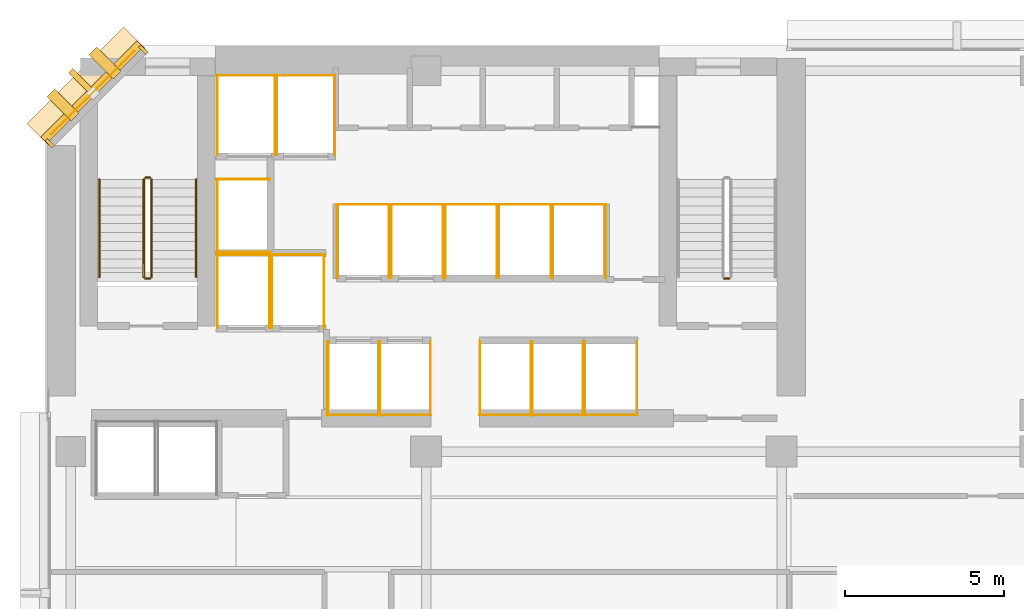
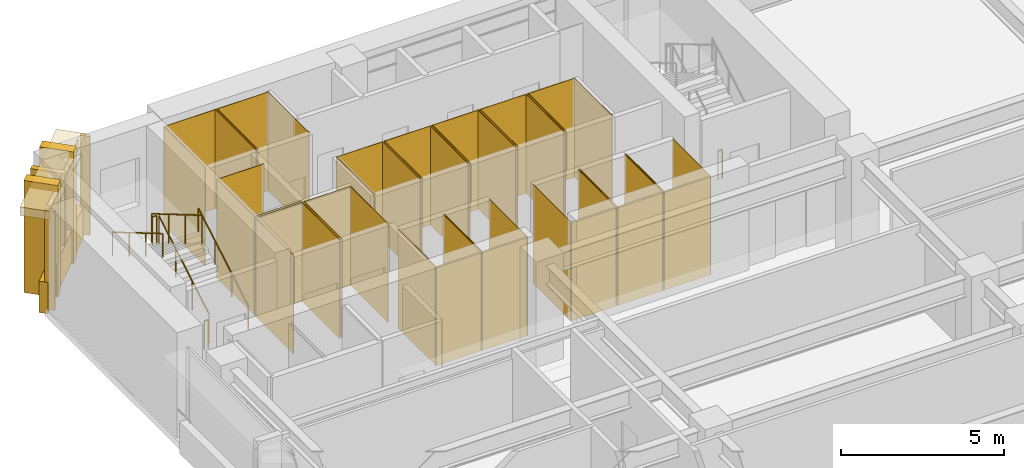
# One storey, part 12 of 14: 52 coverings, 7 railings, 1 shading device.
"""IFC4 building model written with IfcOpenShell, lengths in metres."""

from ifc_helpers import new_model, si_unit, direction, frame, origin, origin_2d, place, context, subcontext, project, spatial, polyline, rectangle, circle, outline, extrude, material, layer, layer_set, material_profile, profile_set, type_object, element, save


model = new_model("IFC4")

# Units and contexts
model_context = context("Model", 3, precision=1e-05, world=origin(), true_north=direction((0.0, 1.0)))
body_context = subcontext(model_context, "Body", "Model", "MODEL_VIEW")
ifc_project = project(units=[si_unit("LENGTHUNIT", "METRE"), si_unit("AREAUNIT", "SQUARE_METRE"), si_unit("VOLUMEUNIT", "CUBIC_METRE"), si_unit("PLANEANGLEUNIT", "RADIAN"), si_unit("MASSUNIT", "GRAM", prefix="KILO")], contexts=[model_context])

# Site, building, storey
site_placement = place(None, origin())
site = spatial("IfcSite", under=ifc_project, at=site_placement, CompositionType="ELEMENT")
building_placement = place(site_placement, origin())
building = spatial("IfcBuilding", under=site, at=building_placement, Name="Kefirva Bronze Tower", CompositionType="ELEMENT")
storey_placement = place(building_placement, frame((0.0, 0.0, 50.159912109375)))
storey = spatial("IfcBuildingStorey", under=building, at=storey_placement, Name="L11", CompositionType="ELEMENT", Elevation=50.159912109375)

# Coverings
ifc_material_1 = material(Name="Bronze anodised aluminium", Category="aluminium")
ifc_layer_1 = layer(ifc_material_1, 0.02001953125, Name="Bronze anodised aluminium")
ifc_layer_set_1 = layer_set([ifc_layer_1], Name="Bronze anodised aluminium")
covering_type_1 = type_object("IfcCoveringType", Name="Anodised Bronze Spandrel Cladding 20mm", PredefinedType="CLADDING", material=ifc_layer_set_1)
covering_1_placement = place(storey_placement, frame((1.492919921875, 44.507080078125, 3.2900390625), z_axis=(0.0, 0.0, 1.0), x_axis=(-0.707106781187, -0.707106781187, 0.0)))
element("IfcCovering", 1, at=covering_1_placement, inside=storey, type_object=covering_type_1, Name="L11 Bronze Spandrel Cladding 9", PredefinedType="CLADDING", context=body_context, shape_type="SweptSolid", body=[
    extrude(rectangle(XDim=3.719482421875, YDim=0.02001953125, at=origin_2d()), origin(), (0.0, 0.0, 1.0), 0.39990234375),
])
for number, where, z_axis, x_axis, name in (
    (2, (3.08837890625, 45.862060546875, 0.0), (0.0, 0.0, 1.0), (-0.707106781187, -0.707106781187, 0.0), "L11 Facade Joint Closure Panel 9S"),
    (3, (0.137939453125, 42.91162109375, 0.0), (0.0, 0.0, 1.0), (-0.707106781187, -0.707106781187, 0.0), "L11 Facade Joint Closure Panel 9E"),
):
    element("IfcCovering", number, at=place(storey_placement, frame(where, z_axis=z_axis, x_axis=x_axis)), inside=storey, type_object=covering_type_1, Name=name, PredefinedType="CLADDING", context=body_context, shape_type="SweptSolid", body=[
        extrude(rectangle(XDim=0.10009765625, YDim=0.320068359375, at=origin_2d()), origin(), (0.0, 0.0, 1.0), 3.7099609375),
    ])
covering_2_placement = place(storey_placement, frame((1.4716796875, 44.5283203125, -0.15966796875), z_axis=(0.0, 0.0, 1.0), x_axis=(-0.707106781187, -0.707106781187, 0.0)))
element("IfcCovering", 4, at=covering_2_placement, inside=storey, type_object=covering_type_1, Name="L11 Streamline Horizontal Spandrel Band 13", PredefinedType="CLADDING", context=body_context, shape_type="SweptSolid", body=[
    extrude(rectangle(XDim=4.28271484375, YDim=0.280029296875, at=origin_2d()), origin(), (0.0, 0.0, 1.0), 1.179931640625),
])
covering_3_placement = place(storey_placement, origin())
element("IfcCovering", 5, at=covering_3_placement, inside=storey, type_object=covering_type_1, Name="L11 Lift FF1 Hoistway Liner N", PredefinedType="CLADDING", context=body_context, shape_type="SweptSolid", body=[
    extrude(outline(polyline([(5.39990234375, 39.389892578125), (7.080078125, 39.389892578125), (7.080078125, 39.409912109375), (5.39990234375, 39.409912109375), (5.39990234375, 39.389892578125)])), origin(), (0.0, 0.0, 1.0), 3.710205078125),
])
covering_4_placement = place(storey_placement, origin())
element("IfcCovering", 6, at=covering_4_placement, inside=storey, type_object=covering_type_1, Name="L11 Lift FF1 Hoistway Liner W", PredefinedType="CLADDING", context=body_context, shape_type="SweptSolid", body=[
    extrude(outline(polyline([(5.409912109375, 37.080078125), (5.429931640625, 37.080078125), (5.429931640625, 39.419921875), (5.409912109375, 39.419921875), (5.409912109375, 37.080078125)])), origin(), (0.0, 0.0, 1.0), 3.710205078125),
])
covering_5_placement = place(storey_placement, origin())
element("IfcCovering", 7, at=covering_5_placement, inside=storey, type_object=covering_type_1, Name="L11 Lift FF1 Hoistway Liner E", PredefinedType="CLADDING", context=body_context, shape_type="SweptSolid", body=[
    extrude(outline(polyline([(7.050048828125, 37.080078125), (7.070068359375, 37.080078125), (7.070068359375, 39.419921875), (7.050048828125, 39.419921875), (7.050048828125, 37.080078125)])), origin(), (0.0, 0.0, 1.0), 3.710205078125),
])
covering_6_placement = place(storey_placement, origin())
element("IfcCovering", 8, at=covering_6_placement, inside=storey, type_object=covering_type_1, Name="L11 Lift FF2 Hoistway Liner N", PredefinedType="CLADDING", context=body_context, shape_type="SweptSolid", body=[
    extrude(outline(polyline([(7.1201171875, 39.389892578125), (8.800048828125, 39.389892578125), (8.800048828125, 39.409912109375), (7.1201171875, 39.409912109375), (7.1201171875, 39.389892578125)])), origin(), (0.0, 0.0, 1.0), 3.710205078125),
])
covering_7_placement = place(storey_placement, origin())
element("IfcCovering", 9, at=covering_7_placement, inside=storey, type_object=covering_type_1, Name="L11 Lift FF2 Hoistway Liner W", PredefinedType="CLADDING", context=body_context, shape_type="SweptSolid", body=[
    extrude(outline(polyline([(7.1298828125, 37.080078125), (7.14990234375, 37.080078125), (7.14990234375, 39.419921875), (7.1298828125, 39.419921875), (7.1298828125, 37.080078125)])), origin(), (0.0, 0.0, 1.0), 3.710205078125),
])
covering_8_placement = place(storey_placement, origin())
element("IfcCovering", 10, at=covering_8_placement, inside=storey, type_object=covering_type_1, Name="L11 Lift FF2 Hoistway Liner E", PredefinedType="CLADDING", context=body_context, shape_type="SweptSolid", body=[
    extrude(outline(polyline([(8.77001953125, 37.080078125), (8.7900390625, 37.080078125), (8.7900390625, 39.419921875), (8.77001953125, 39.419921875), (8.77001953125, 37.080078125)])), origin(), (0.0, 0.0, 1.0), 3.710205078125),
])
covering_9_placement = place(storey_placement, origin())
element("IfcCovering", 11, at=covering_9_placement, inside=storey, type_object=covering_type_1, Name="L11 Lift SV1 Hoistway Liner N", PredefinedType="CLADDING", context=body_context, shape_type="SweptSolid", body=[
    extrude(outline(polyline([(5.39990234375, 45.0400390625), (7.260009765625, 45.0400390625), (7.260009765625, 45.06005859375), (5.39990234375, 45.06005859375), (5.39990234375, 45.0400390625)])), origin(), (0.0, 0.0, 1.0), 3.710205078125),
])
covering_10_placement = place(storey_placement, origin())
element("IfcCovering", 12, at=covering_10_placement, inside=storey, type_object=covering_type_1, Name="L11 Lift SV1 Hoistway Liner W", PredefinedType="CLADDING", context=body_context, shape_type="SweptSolid", body=[
    extrude(outline(polyline([(5.409912109375, 42.530029296875), (5.429931640625, 42.530029296875), (5.429931640625, 45.070068359375), (5.409912109375, 45.070068359375), (5.409912109375, 42.530029296875)])), origin(), (0.0, 0.0, 1.0), 3.710205078125),
])
covering_11_placement = place(storey_placement, origin())
element("IfcCovering", 13, at=covering_11_placement, inside=storey, type_object=covering_type_1, Name="L11 Lift SV1 Hoistway Liner E", PredefinedType="CLADDING", context=body_context, shape_type="SweptSolid", body=[
    extrude(outline(polyline([(7.22998046875, 42.530029296875), (7.25, 42.530029296875), (7.25, 45.070068359375), (7.22998046875, 45.070068359375), (7.22998046875, 42.530029296875)])), origin(), (0.0, 0.0, 1.0), 3.710205078125),
])
covering_12_placement = place(storey_placement, origin())
element("IfcCovering", 14, at=covering_12_placement, inside=storey, type_object=covering_type_1, Name="L11 Lift SV2 Hoistway Liner N", PredefinedType="CLADDING", context=body_context, shape_type="SweptSolid", body=[
    extrude(outline(polyline([(7.280029296875, 45.0400390625), (9.139892578125, 45.0400390625), (9.139892578125, 45.06005859375), (7.280029296875, 45.06005859375), (7.280029296875, 45.0400390625)])), origin(), (0.0, 0.0, 1.0), 3.710205078125),
])
covering_13_placement = place(storey_placement, origin())
element("IfcCovering", 15, at=covering_13_placement, inside=storey, type_object=covering_type_1, Name="L11 Lift SV2 Hoistway Liner W", PredefinedType="CLADDING", context=body_context, shape_type="SweptSolid", body=[
    extrude(outline(polyline([(7.2900390625, 42.530029296875), (7.31005859375, 42.530029296875), (7.31005859375, 45.070068359375), (7.2900390625, 45.070068359375), (7.2900390625, 42.530029296875)])), origin(), (0.0, 0.0, 1.0), 3.710205078125),
])
covering_14_placement = place(storey_placement, origin())
element("IfcCovering", 16, at=covering_14_placement, inside=storey, type_object=covering_type_1, Name="L11 Lift SV2 Hoistway Liner E", PredefinedType="CLADDING", context=body_context, shape_type="SweptSolid", body=[
    extrude(outline(polyline([(9.110107421875, 42.530029296875), (9.1298828125, 42.530029296875), (9.1298828125, 45.070068359375), (9.110107421875, 45.070068359375), (9.110107421875, 42.530029296875)])), origin(), (0.0, 0.0, 1.0), 3.710205078125),
])
covering_15_placement = place(storey_placement, origin())
element("IfcCovering", 17, at=covering_15_placement, inside=storey, type_object=covering_type_1, Name="L11 Lift LP1 Hoistway Liner S", PredefinedType="CLADDING", context=body_context, shape_type="SweptSolid", body=[
    extrude(outline(polyline([(8.8798828125, 34.340087890625), (10.52001953125, 34.340087890625), (10.52001953125, 34.360107421875), (8.8798828125, 34.360107421875), (8.8798828125, 34.340087890625)])), origin(), (0.0, 0.0, 1.0), 3.710205078125),
])
covering_16_placement = place(storey_placement, origin())
element("IfcCovering", 18, at=covering_16_placement, inside=storey, type_object=covering_type_1, Name="L11 Lift LP1 Hoistway Liner W", PredefinedType="CLADDING", context=body_context, shape_type="SweptSolid", body=[
    extrude(outline(polyline([(8.889892578125, 34.330078125), (8.909912109375, 34.330078125), (8.909912109375, 36.669921875), (8.889892578125, 36.669921875), (8.889892578125, 34.330078125)])), origin(), (0.0, 0.0, 1.0), 3.710205078125),
])
covering_17_placement = place(storey_placement, origin())
element("IfcCovering", 19, at=covering_17_placement, inside=storey, type_object=covering_type_1, Name="L11 Lift LP1 Hoistway Liner E", PredefinedType="CLADDING", context=body_context, shape_type="SweptSolid", body=[
    extrude(outline(polyline([(10.489990234375, 34.330078125), (10.510009765625, 34.330078125), (10.510009765625, 36.669921875), (10.489990234375, 36.669921875), (10.489990234375, 34.330078125)])), origin(), (0.0, 0.0, 1.0), 3.710205078125),
])
covering_18_placement = place(storey_placement, origin())
element("IfcCovering", 20, at=covering_18_placement, inside=storey, type_object=covering_type_1, Name="L11 Lift LP2 Hoistway Liner S", PredefinedType="CLADDING", context=body_context, shape_type="SweptSolid", body=[
    extrude(outline(polyline([(10.52001953125, 34.340087890625), (12.159912109375, 34.340087890625), (12.159912109375, 34.360107421875), (10.52001953125, 34.360107421875), (10.52001953125, 34.340087890625)])), origin(), (0.0, 0.0, 1.0), 3.710205078125),
])
covering_19_placement = place(storey_placement, origin())
element("IfcCovering", 21, at=covering_19_placement, inside=storey, type_object=covering_type_1, Name="L11 Lift LP2 Hoistway Liner W", PredefinedType="CLADDING", context=body_context, shape_type="SweptSolid", body=[
    extrude(outline(polyline([(10.530029296875, 34.330078125), (10.550048828125, 34.330078125), (10.550048828125, 36.669921875), (10.530029296875, 36.669921875), (10.530029296875, 34.330078125)])), origin(), (0.0, 0.0, 1.0), 3.710205078125),
])
covering_20_placement = place(storey_placement, origin())
element("IfcCovering", 22, at=covering_20_placement, inside=storey, type_object=covering_type_1, Name="L11 Lift LP2 Hoistway Liner E", PredefinedType="CLADDING", context=body_context, shape_type="SweptSolid", body=[
    extrude(outline(polyline([(12.1298828125, 34.330078125), (12.14990234375, 34.330078125), (12.14990234375, 36.669921875), (12.1298828125, 36.669921875), (12.1298828125, 34.330078125)])), origin(), (0.0, 0.0, 1.0), 3.710205078125),
])
covering_21_placement = place(storey_placement, origin())
element("IfcCovering", 23, at=covering_21_placement, inside=storey, type_object=covering_type_1, Name="L11 Lift LP3 Hoistway Liner N", PredefinedType="CLADDING", context=body_context, shape_type="SweptSolid", body=[
    extrude(outline(polyline([(9.179931640625, 40.969970703125), (10.85009765625, 40.969970703125), (10.85009765625, 40.989990234375), (9.179931640625, 40.989990234375), (9.179931640625, 40.969970703125)])), origin(), (0.0, 0.0, 1.0), 3.710205078125),
])
covering_22_placement = place(storey_placement, origin())
element("IfcCovering", 24, at=covering_22_placement, inside=storey, type_object=covering_type_1, Name="L11 Lift LP3 Hoistway Liner W", PredefinedType="CLADDING", context=body_context, shape_type="SweptSolid", body=[
    extrude(outline(polyline([(9.18994140625, 38.659912109375), (9.2099609375, 38.659912109375), (9.2099609375, 41.0), (9.18994140625, 41.0), (9.18994140625, 38.659912109375)])), origin(), (0.0, 0.0, 1.0), 3.710205078125),
])
covering_23_placement = place(storey_placement, origin())
element("IfcCovering", 25, at=covering_23_placement, inside=storey, type_object=covering_type_1, Name="L11 Lift LP3 Hoistway Liner E", PredefinedType="CLADDING", context=body_context, shape_type="SweptSolid", body=[
    extrude(outline(polyline([(10.820068359375, 38.659912109375), (10.840087890625, 38.659912109375), (10.840087890625, 41.0), (10.820068359375, 41.0), (10.820068359375, 38.659912109375)])), origin(), (0.0, 0.0, 1.0), 3.710205078125),
])
covering_24_placement = place(storey_placement, origin())
element("IfcCovering", 26, at=covering_24_placement, inside=storey, type_object=covering_type_1, Name="L11 Lift LP4 Hoistway Liner N", PredefinedType="CLADDING", context=body_context, shape_type="SweptSolid", body=[
    extrude(outline(polyline([(10.8798828125, 40.969970703125), (12.550048828125, 40.969970703125), (12.550048828125, 40.989990234375), (10.8798828125, 40.989990234375), (10.8798828125, 40.969970703125)])), origin(), (0.0, 0.0, 1.0), 3.710205078125),
])
covering_25_placement = place(storey_placement, origin())
element("IfcCovering", 27, at=covering_25_placement, inside=storey, type_object=covering_type_1, Name="L11 Lift LP4 Hoistway Liner W", PredefinedType="CLADDING", context=body_context, shape_type="SweptSolid", body=[
    extrude(outline(polyline([(10.889892578125, 38.659912109375), (10.909912109375, 38.659912109375), (10.909912109375, 41.0), (10.889892578125, 41.0), (10.889892578125, 38.659912109375)])), origin(), (0.0, 0.0, 1.0), 3.710205078125),
])
covering_26_placement = place(storey_placement, origin())
element("IfcCovering", 28, at=covering_26_placement, inside=storey, type_object=covering_type_1, Name="L11 Lift LP4 Hoistway Liner E", PredefinedType="CLADDING", context=body_context, shape_type="SweptSolid", body=[
    extrude(outline(polyline([(12.52001953125, 38.659912109375), (12.5400390625, 38.659912109375), (12.5400390625, 41.0), (12.52001953125, 41.0), (12.52001953125, 38.659912109375)])), origin(), (0.0, 0.0, 1.0), 3.710205078125),
])
covering_27_placement = place(storey_placement, origin())
element("IfcCovering", 29, at=covering_27_placement, inside=storey, type_object=covering_type_1, Name="L11 Lift MP1 Hoistway Liner S", PredefinedType="CLADDING", context=body_context, shape_type="SweptSolid", body=[
    extrude(outline(polyline([(13.679931640625, 34.340087890625), (15.320068359375, 34.340087890625), (15.320068359375, 34.360107421875), (13.679931640625, 34.360107421875), (13.679931640625, 34.340087890625)])), origin(), (0.0, 0.0, 1.0), 3.710205078125),
])
covering_28_placement = place(storey_placement, origin())
element("IfcCovering", 30, at=covering_28_placement, inside=storey, type_object=covering_type_1, Name="L11 Lift MP1 Hoistway Liner W", PredefinedType="CLADDING", context=body_context, shape_type="SweptSolid", body=[
    extrude(outline(polyline([(13.68994140625, 34.330078125), (13.7099609375, 34.330078125), (13.7099609375, 36.669921875), (13.68994140625, 36.669921875), (13.68994140625, 34.330078125)])), origin(), (0.0, 0.0, 1.0), 3.710205078125),
])
covering_29_placement = place(storey_placement, origin())
element("IfcCovering", 31, at=covering_29_placement, inside=storey, type_object=covering_type_1, Name="L11 Lift MP1 Hoistway Liner E", PredefinedType="CLADDING", context=body_context, shape_type="SweptSolid", body=[
    extrude(outline(polyline([(15.2900390625, 34.330078125), (15.31005859375, 34.330078125), (15.31005859375, 36.669921875), (15.2900390625, 36.669921875), (15.2900390625, 34.330078125)])), origin(), (0.0, 0.0, 1.0), 3.710205078125),
])
covering_30_placement = place(storey_placement, origin())
element("IfcCovering", 32, at=covering_30_placement, inside=storey, type_object=covering_type_1, Name="L11 Lift MP2 Hoistway Liner S", PredefinedType="CLADDING", context=body_context, shape_type="SweptSolid", body=[
    extrude(outline(polyline([(15.330078125, 34.340087890625), (16.969970703125, 34.340087890625), (16.969970703125, 34.360107421875), (15.330078125, 34.360107421875), (15.330078125, 34.340087890625)])), origin(), (0.0, 0.0, 1.0), 3.710205078125),
])
covering_31_placement = place(storey_placement, origin())
element("IfcCovering", 33, at=covering_31_placement, inside=storey, type_object=covering_type_1, Name="L11 Lift MP2 Hoistway Liner W", PredefinedType="CLADDING", context=body_context, shape_type="SweptSolid", body=[
    extrude(outline(polyline([(15.340087890625, 34.330078125), (15.360107421875, 34.330078125), (15.360107421875, 36.669921875), (15.340087890625, 36.669921875), (15.340087890625, 34.330078125)])), origin(), (0.0, 0.0, 1.0), 3.710205078125),
])
covering_32_placement = place(storey_placement, origin())
element("IfcCovering", 34, at=covering_32_placement, inside=storey, type_object=covering_type_1, Name="L11 Lift MP2 Hoistway Liner E", PredefinedType="CLADDING", context=body_context, shape_type="SweptSolid", body=[
    extrude(outline(polyline([(16.93994140625, 34.330078125), (16.9599609375, 34.330078125), (16.9599609375, 36.669921875), (16.93994140625, 36.669921875), (16.93994140625, 34.330078125)])), origin(), (0.0, 0.0, 1.0), 3.710205078125),
])
covering_33_placement = place(storey_placement, origin())
element("IfcCovering", 35, at=covering_33_placement, inside=storey, type_object=covering_type_1, Name="L11 Lift MP3 Hoistway Liner N", PredefinedType="CLADDING", context=body_context, shape_type="SweptSolid", body=[
    extrude(outline(polyline([(12.580078125, 40.969970703125), (14.25, 40.969970703125), (14.25, 40.989990234375), (12.580078125, 40.989990234375), (12.580078125, 40.969970703125)])), origin(), (0.0, 0.0, 1.0), 3.710205078125),
])
covering_34_placement = place(storey_placement, origin())
element("IfcCovering", 36, at=covering_34_placement, inside=storey, type_object=covering_type_1, Name="L11 Lift MP3 Hoistway Liner W", PredefinedType="CLADDING", context=body_context, shape_type="SweptSolid", body=[
    extrude(outline(polyline([(12.590087890625, 38.659912109375), (12.610107421875, 38.659912109375), (12.610107421875, 41.0), (12.590087890625, 41.0), (12.590087890625, 38.659912109375)])), origin(), (0.0, 0.0, 1.0), 3.710205078125),
])
covering_35_placement = place(storey_placement, origin())
element("IfcCovering", 37, at=covering_35_placement, inside=storey, type_object=covering_type_1, Name="L11 Lift MP3 Hoistway Liner E", PredefinedType="CLADDING", context=body_context, shape_type="SweptSolid", body=[
    extrude(outline(polyline([(14.219970703125, 38.659912109375), (14.239990234375, 38.659912109375), (14.239990234375, 41.0), (14.219970703125, 41.0), (14.219970703125, 38.659912109375)])), origin(), (0.0, 0.0, 1.0), 3.710205078125),
])
covering_36_placement = place(storey_placement, origin())
element("IfcCovering", 38, at=covering_36_placement, inside=storey, type_object=covering_type_1, Name="L11 Lift MP4 Hoistway Liner N", PredefinedType="CLADDING", context=body_context, shape_type="SweptSolid", body=[
    extrude(outline(polyline([(14.280029296875, 40.969970703125), (15.949951171875, 40.969970703125), (15.949951171875, 40.989990234375), (14.280029296875, 40.989990234375), (14.280029296875, 40.969970703125)])), origin(), (0.0, 0.0, 1.0), 3.710205078125),
])
covering_37_placement = place(storey_placement, origin())
element("IfcCovering", 39, at=covering_37_placement, inside=storey, type_object=covering_type_1, Name="L11 Lift MP4 Hoistway Liner W", PredefinedType="CLADDING", context=body_context, shape_type="SweptSolid", body=[
    extrude(outline(polyline([(14.2900390625, 38.659912109375), (14.31005859375, 38.659912109375), (14.31005859375, 41.0), (14.2900390625, 41.0), (14.2900390625, 38.659912109375)])), origin(), (0.0, 0.0, 1.0), 3.710205078125),
])
covering_38_placement = place(storey_placement, origin())
element("IfcCovering", 40, at=covering_38_placement, inside=storey, type_object=covering_type_1, Name="L11 Lift MP4 Hoistway Liner E", PredefinedType="CLADDING", context=body_context, shape_type="SweptSolid", body=[
    extrude(outline(polyline([(15.919921875, 38.659912109375), (15.93994140625, 38.659912109375), (15.93994140625, 41.0), (15.919921875, 41.0), (15.919921875, 38.659912109375)])), origin(), (0.0, 0.0, 1.0), 3.710205078125),
])
covering_39_placement = place(storey_placement, origin())
element("IfcCovering", 41, at=covering_39_placement, inside=storey, type_object=covering_type_1, Name="L11 Lift HP1 Hoistway Liner S", PredefinedType="CLADDING", context=body_context, shape_type="SweptSolid", body=[
    extrude(outline(polyline([(16.97998046875, 34.340087890625), (18.669921875, 34.340087890625), (18.669921875, 34.360107421875), (16.97998046875, 34.360107421875), (16.97998046875, 34.340087890625)])), origin(), (0.0, 0.0, 1.0), 3.710205078125),
])
covering_40_placement = place(storey_placement, origin())
element("IfcCovering", 42, at=covering_40_placement, inside=storey, type_object=covering_type_1, Name="L11 Lift HP1 Hoistway Liner W", PredefinedType="CLADDING", context=body_context, shape_type="SweptSolid", body=[
    extrude(outline(polyline([(16.989990234375, 34.330078125), (17.010009765625, 34.330078125), (17.010009765625, 36.669921875), (16.989990234375, 36.669921875), (16.989990234375, 34.330078125)])), origin(), (0.0, 0.0, 1.0), 3.710205078125),
])
covering_41_placement = place(storey_placement, origin())
element("IfcCovering", 43, at=covering_41_placement, inside=storey, type_object=covering_type_1, Name="L11 Lift HP1 Hoistway Liner E", PredefinedType="CLADDING", context=body_context, shape_type="SweptSolid", body=[
    extrude(outline(polyline([(18.639892578125, 34.330078125), (18.659912109375, 34.330078125), (18.659912109375, 36.669921875), (18.639892578125, 36.669921875), (18.639892578125, 34.330078125)])), origin(), (0.0, 0.0, 1.0), 3.710205078125),
])
covering_42_placement = place(storey_placement, origin())
element("IfcCovering", 44, at=covering_42_placement, inside=storey, type_object=covering_type_1, Name="L11 Lift HP2 Hoistway Liner N", PredefinedType="CLADDING", context=body_context, shape_type="SweptSolid", body=[
    extrude(outline(polyline([(15.97998046875, 40.969970703125), (17.669921875, 40.969970703125), (17.669921875, 40.989990234375), (15.97998046875, 40.989990234375), (15.97998046875, 40.969970703125)])), origin(), (0.0, 0.0, 1.0), 3.710205078125),
])
covering_43_placement = place(storey_placement, origin())
element("IfcCovering", 45, at=covering_43_placement, inside=storey, type_object=covering_type_1, Name="L11 Lift HP2 Hoistway Liner W", PredefinedType="CLADDING", context=body_context, shape_type="SweptSolid", body=[
    extrude(outline(polyline([(15.989990234375, 38.659912109375), (16.010009765625, 38.659912109375), (16.010009765625, 41.0), (15.989990234375, 41.0), (15.989990234375, 38.659912109375)])), origin(), (0.0, 0.0, 1.0), 3.710205078125),
])
covering_44_placement = place(storey_placement, origin())
element("IfcCovering", 46, at=covering_44_placement, inside=storey, type_object=covering_type_1, Name="L11 Lift HP2 Hoistway Liner E", PredefinedType="CLADDING", context=body_context, shape_type="SweptSolid", body=[
    extrude(outline(polyline([(17.639892578125, 38.659912109375), (17.659912109375, 38.659912109375), (17.659912109375, 41.0), (17.639892578125, 41.0), (17.639892578125, 38.659912109375)])), origin(), (0.0, 0.0, 1.0), 3.710205078125),
])
covering_45_placement = place(storey_placement, origin())
element("IfcCovering", 47, at=covering_45_placement, inside=storey, type_object=covering_type_1, Name="L11 Lift HP3 Hoistway Liner N", PredefinedType="CLADDING", context=body_context, shape_type="SweptSolid", body=[
    extrude(outline(polyline([(5.39990234375, 41.77001953125), (7.080078125, 41.77001953125), (7.080078125, 41.7900390625), (5.39990234375, 41.7900390625), (5.39990234375, 41.77001953125)])), origin(), (0.0, 0.0, 1.0), 3.710205078125),
])
covering_46_placement = place(storey_placement, origin())
element("IfcCovering", 48, at=covering_46_placement, inside=storey, type_object=covering_type_1, Name="L11 Lift HP3 Hoistway Liner S", PredefinedType="CLADDING", context=body_context, shape_type="SweptSolid", body=[
    extrude(outline(polyline([(5.39990234375, 39.469970703125), (7.080078125, 39.469970703125), (7.080078125, 39.489990234375), (5.39990234375, 39.489990234375), (5.39990234375, 39.469970703125)])), origin(), (0.0, 0.0, 1.0), 3.710205078125),
])
covering_47_placement = place(storey_placement, origin())
element("IfcCovering", 49, at=covering_47_placement, inside=storey, type_object=covering_type_1, Name="L11 Lift HP3 Hoistway Liner W", PredefinedType="CLADDING", context=body_context, shape_type="SweptSolid", body=[
    extrude(outline(polyline([(5.409912109375, 39.4599609375), (5.429931640625, 39.4599609375), (5.429931640625, 41.800048828125), (5.409912109375, 41.800048828125), (5.409912109375, 39.4599609375)])), origin(), (0.0, 0.0, 1.0), 3.710205078125),
])

# Shading device
ifc_material_profile = material_profile(ifc_material_1, rectangle(XDim=0.179931640625, YDim=1.080078125, at=origin_2d()), Name="BRONZE BUTTRESS FIN 180x1080")
ifc_profile_set = profile_set([ifc_material_profile], Name="Bronze anodised aluminium")
shading_device_type = type_object("IfcShadingDeviceType", Name="Chamfered Corner Buttress Bronze Fin 1080mm", PredefinedType="USERDEFINED", material=ifc_profile_set)
shading_device_placement = place(storey_placement, frame((1.1748046875, 44.8251953125, -0.139892578125), z_axis=(0.0, 0.0, 1.0), x_axis=(-0.707106781187, -0.707106781187, 0.0)))
element("IfcShadingDevice", 50, at=shading_device_placement, inside=storey, type_object=shading_device_type, Name="L11 Chamfered Corner Buttress Fin 24", ObjectType="VERTICAL FIN", PredefinedType="USERDEFINED", context=body_context, shape_type="SweptSolid", body=[
    extrude(rectangle(XDim=0.179931640625, YDim=1.080078125, at=origin_2d()), origin(), (0.0, 0.0, 1.0), 3.85009765625),
])

# Railings
ifc_material_2 = material(Name="Stainless steel 316", Category="steel")
railing_type_1 = type_object("IfcRailingType", Name="Interior Stair Guardrail 1100mm", PredefinedType="GUARDRAIL", material=ifc_material_2)
railing_1_placement = place(storey_placement, frame((3.35009765625, 38.699951171875, 0.1650390625)))
element("IfcRailing", 51, at=railing_1_placement, inside=storey, type_object=railing_type_1, Name="L11 ST-1 stair guard 1", PredefinedType="GUARDRAIL", context=body_context, shape_type="SweptSolid", body=[
    extrude(circle(Radius=0.02392578125, at=origin_2d()), frame((0.0, 0.0, 1.076171875), z_axis=(0.0, 0.861551262678, 0.507670583921), x_axis=(-1.0, 0.0, 0.0)), (0.0, 0.0, 1.0), 3.574951171875),
    extrude(circle(Radius=0.02099609375, at=origin_2d()), origin(), (0.0, 0.0, 1.0), 1.052001953125),
    extrude(circle(Radius=0.02099609375, at=origin_2d()), frame((0.0, 1.026611328125, 0.60498046875)), (0.0, 0.0, 1.0), 1.052001953125),
    extrude(circle(Radius=0.02099609375, at=origin_2d()), frame((0.0, 2.053466796875, 1.2099609375)), (0.0, 0.0, 1.0), 1.052001953125),
    extrude(circle(Radius=0.02099609375, at=origin_2d()), frame((0.0, 3.080078125, 1.81494140625)), (0.0, 0.0, 1.0), 1.052001953125),
])
railing_2_placement = place(storey_placement, frame((3.300048828125, 41.830078125, 1.97998046875)))
element("IfcRailing", 52, at=railing_2_placement, inside=storey, type_object=railing_type_1, Name="L11 ST-1 stair guard 2", PredefinedType="GUARDRAIL", context=body_context, shape_type="SweptSolid", body=[
    extrude(circle(Radius=0.02392578125, at=origin_2d()), frame((0.0, 0.0, 1.076171875), z_axis=(-1.0, 0.0, 0.0), x_axis=(0.0, -1.0, 0.0)), (0.0, 0.0, 1.0), 0.150146484375),
    extrude(circle(Radius=0.02099609375, at=origin_2d()), origin(), (0.0, 0.0, 1.0), 1.052001953125),
    extrude(circle(Radius=0.02099609375, at=origin_2d()), frame((-0.150146484375, 0.0, 0.0)), (0.0, 0.0, 1.0), 1.052001953125),
])
railing_3_placement = place(storey_placement, frame((3.10009765625, 41.780029296875, 2.14501953125)))
element("IfcRailing", 53, at=railing_3_placement, inside=storey, type_object=railing_type_1, Name="L11 ST-1 stair guard 3", PredefinedType="GUARDRAIL", context=body_context, shape_type="SweptSolid", body=[
    extrude(circle(Radius=0.02392578125, at=origin_2d()), frame((0.0, 0.0, 1.076171875), z_axis=(0.0, -0.861521393093, 0.507721271215), x_axis=(1.0, 0.0, 0.0)), (0.0, 0.0, 1.0), 3.5751953125),
    extrude(circle(Radius=0.02099609375, at=origin_2d()), origin(), (0.0, 0.0, 1.0), 1.052001953125),
    extrude(circle(Radius=0.02099609375, at=origin_2d()), frame((0.0, -1.026611328125, 0.60498046875)), (0.0, 0.0, 1.0), 1.052001953125),
    extrude(circle(Radius=0.02099609375, at=origin_2d()), frame((0.0, -2.053466796875, 1.210205078125)), (0.0, 0.0, 1.0), 1.052001953125),
    extrude(circle(Radius=0.02099609375, at=origin_2d()), frame((0.0, -3.080078125, 1.815185546875)), (0.0, 0.0, 1.0), 1.052001953125),
])
for number, where, name in (
    (54, (3.300048828125, 38.64990234375, 0.0), "L11 ST-1 stair guard 4"),
    (55, (21.550048828125, 38.64990234375, 0.0), "L11 ST-2 stair guard 4"),
):
    element("IfcRailing", number, at=place(storey_placement, frame(where)), inside=storey, type_object=railing_type_1, Name=name, PredefinedType="GUARDRAIL", context=body_context, shape_type="SweptSolid", body=[
        extrude(circle(Radius=0.02392578125, at=origin_2d()), frame((0.0, 0.0, 1.076171875), z_axis=(-1.0, 0.0, 0.0), x_axis=(0.0, -1.0, 0.0)), (0.0, 0.0, 1.0), 0.150146484375),
        extrude(circle(Radius=0.02099609375, at=origin_2d()), origin(), (0.0, 0.0, 1.0), 1.052001953125),
        extrude(circle(Radius=0.02099609375, at=origin_2d()), frame((-0.150146484375, 0.0, 0.0)), (0.0, 0.0, 1.0), 1.052001953125),
    ])
railing_type_2 = type_object("IfcRailingType", Name="Stair Pitch Handrail 900mm", PredefinedType="HANDRAIL", material=ifc_material_2)
railing_4_placement = place(storey_placement, frame((4.75, 38.699951171875, 0.1650390625)))
element("IfcRailing", 56, at=railing_4_placement, inside=storey, type_object=railing_type_2, Name="L11 ST-1 stair handrail 1", PredefinedType="HANDRAIL", context=body_context, shape_type="SweptSolid", body=[
    extrude(circle(Radius=0.02392578125, at=origin_2d()), frame((0.0, 0.0, 0.8759765625), z_axis=(0.0, 0.861551262678, 0.507670583921), x_axis=(-1.0, 0.0, 0.0)), (0.0, 0.0, 1.0), 3.574951171875),
    extrude(circle(Radius=0.02099609375, at=origin_2d()), origin(), (0.0, 0.0, 1.0), 0.851806640625),
    extrude(circle(Radius=0.02099609375, at=origin_2d()), frame((0.0, 1.026611328125, 0.60498046875)), (0.0, 0.0, 1.0), 0.851806640625),
    extrude(circle(Radius=0.02099609375, at=origin_2d()), frame((0.0, 2.053466796875, 1.2099609375)), (0.0, 0.0, 1.0), 0.851806640625),
    extrude(circle(Radius=0.02099609375, at=origin_2d()), frame((0.0, 3.080078125, 1.81494140625)), (0.0, 0.0, 1.0), 0.851806640625),
])
railing_5_placement = place(storey_placement, frame((1.699951171875, 41.780029296875, 2.14501953125)))
element("IfcRailing", 57, at=railing_5_placement, inside=storey, type_object=railing_type_2, Name="L11 ST-1 stair handrail 2", PredefinedType="HANDRAIL", context=body_context, shape_type="SweptSolid", body=[
    extrude(circle(Radius=0.02392578125, at=origin_2d()), frame((0.0, 0.0, 0.8759765625), z_axis=(0.0, -0.861521393093, 0.507721271215), x_axis=(1.0, 0.0, 0.0)), (0.0, 0.0, 1.0), 3.5751953125),
    extrude(circle(Radius=0.02099609375, at=origin_2d()), origin(), (0.0, 0.0, 1.0), 0.851806640625),
    extrude(circle(Radius=0.02099609375, at=origin_2d()), frame((0.0, -1.026611328125, 0.60498046875)), (0.0, 0.0, 1.0), 0.851806640625),
    extrude(circle(Radius=0.02099609375, at=origin_2d()), frame((0.0, -2.053466796875, 1.210205078125)), (0.0, 0.0, 1.0), 0.851806640625),
    extrude(circle(Radius=0.02099609375, at=origin_2d()), frame((0.0, -3.080078125, 1.815185546875)), (0.0, 0.0, 1.0), 0.851806640625),
])

# Coverings
ifc_layer_2 = layer(ifc_material_1, 0.179931640625, Name="Bronze anodised aluminium")
ifc_layer_set_2 = layer_set([ifc_layer_2], Name="Bronze anodised aluminium")
covering_type_2 = type_object("IfcCoveringType", Name="Streamline Bronze Sunshade Eyebrow Cladding 180mm", PredefinedType="CLADDING", material=ifc_layer_set_2)
covering_48_placement = place(storey_placement, frame((1.28076171875, 44.71923828125, 3.39013671875), z_axis=(0.0, 0.0, 1.0), x_axis=(-0.707106781187, -0.707106781187, 0.0)))
element("IfcCovering", 58, at=covering_48_placement, inside=storey, type_object=covering_type_2, Name="L11 Streamline Bronze Sunshade Eyebrow 13", PredefinedType="CLADDING", context=body_context, shape_type="SweptSolid", body=[
    extrude(rectangle(XDim=4.322509765625, YDim=0.93994140625, at=origin_2d()), origin(), (0.0, 0.0, 1.0), 0.320068359375),
])
ifc_layer_3 = layer(ifc_material_1, 0.260009765625, Name="Bronze anodised aluminium")
ifc_layer_set_3 = layer_set([ifc_layer_3], Name="Bronze anodised aluminium")
covering_type_3 = type_object("IfcCoveringType", Name="Unbroken Bronze Buttress Fin Cladding 260mm", PredefinedType="CLADDING", material=ifc_layer_set_3)
for number, where, z_axis, x_axis, name in (
    (59, (1.877197265625, 45.44287109375, -0.25), (0.0, 0.0, 1.0), (-0.707106781187, -0.707106781187, 0.0), "L11 Chamfered Corner Buttress Fin Cladding 23"),
    (60, (0.55712890625, 44.122802734375, -0.25), (0.0, 0.0, 1.0), (-0.707106781187, -0.707106781187, 0.0), "L11 Chamfered Corner Buttress Fin Cladding 24"),
):
    element("IfcCovering", number, at=place(storey_placement, frame(where, z_axis=z_axis, x_axis=x_axis)), inside=storey, type_object=covering_type_3, Name=name, PredefinedType="CLADDING", context=body_context, shape_type="SweptSolid", body=[
        extrude(rectangle(XDim=0.340087890625, YDim=1.080078125, at=origin_2d()), origin(), (0.0, 0.0, 1.0), 4.2099609375),
    ])

save(model, "model.ifc")
